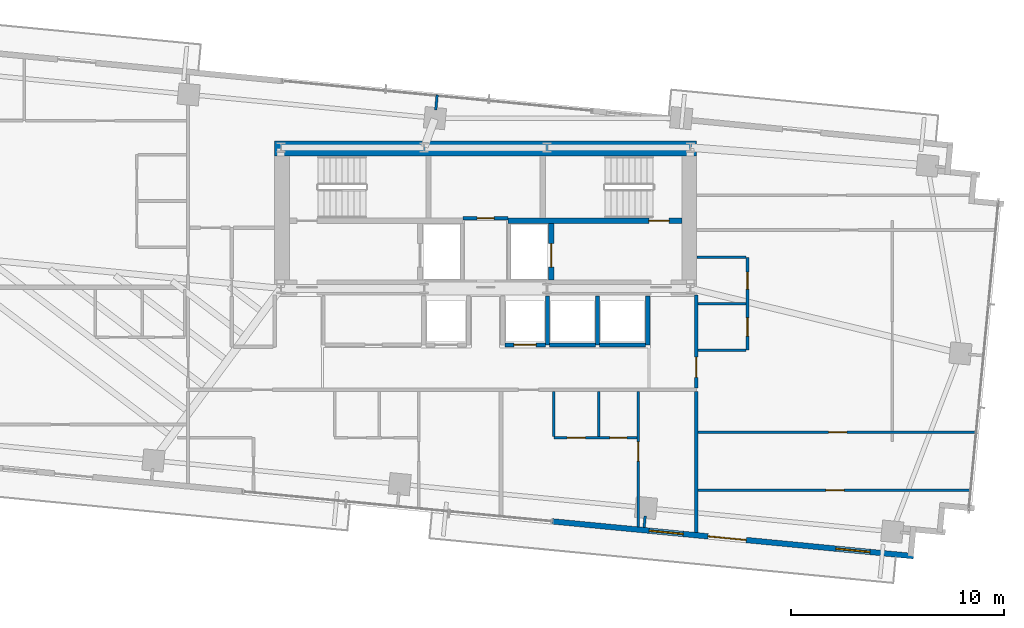
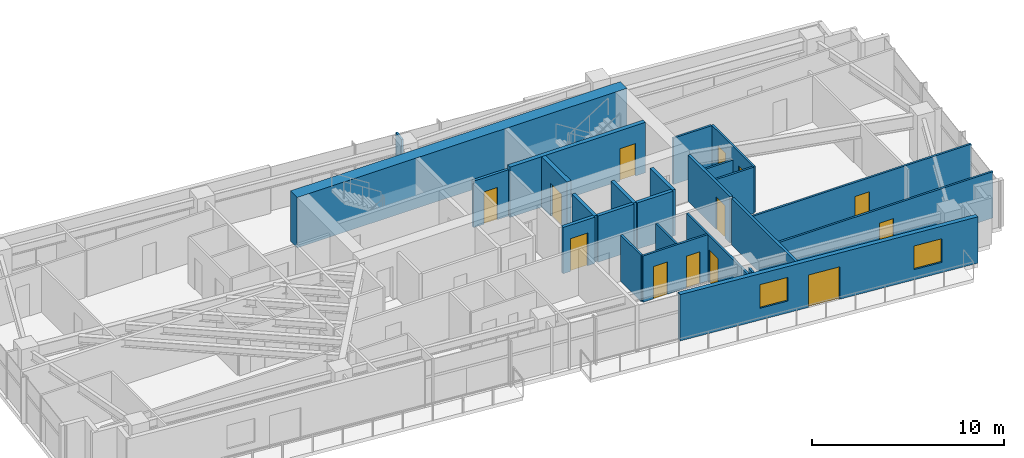
# One storey, part 17 of 20: 25 walls, 13 doors, 2 windows, 15 openings.
"""IFC4 building model written with IfcOpenShell, lengths in metres."""

from ifc_helpers import new_model, si_unit, direction, frame, frame_2d, origin, place, context, subcontext, project, spatial, rectangle, extrude, source, transform, mapped, material, layer, layer_set, type_object, type_shapes, element, fill, save


model = new_model("IFC4")

# Units and contexts
model_context = context("Model", 3, precision=1e-05, world=origin(), true_north=direction((0.0, 1.0)))
body_context = subcontext(model_context, "Body", "Model", "MODEL_VIEW")
ifc_project = project(units=[si_unit("LENGTHUNIT", "METRE"), si_unit("AREAUNIT", "SQUARE_METRE"), si_unit("VOLUMEUNIT", "CUBIC_METRE"), si_unit("PLANEANGLEUNIT", "RADIAN"), si_unit("MASSUNIT", "GRAM", prefix="KILO")], contexts=[model_context])

# Site, building, storey
site_placement = place(None, origin())
site = spatial("IfcSite", under=ifc_project, at=site_placement, CompositionType="ELEMENT")
building_placement = place(site_placement, origin())
building = spatial("IfcBuilding", under=site, at=building_placement, Name="Astriad Promenade Condominiums", CompositionType="ELEMENT")
storey_placement = place(building_placement, frame((0.0, 0.0, 134.199951171875)))
storey = spatial("IfcBuildingStorey", under=building, at=storey_placement, Name="L38", CompositionType="ELEMENT", Elevation=134.199951171875)

# Wall
ifc_material_1 = material(Name="Concrete C60/75", Category="concrete")
ifc_layer_1 = layer(ifc_material_1, 0.699951171875)
ifc_layer_set_1 = layer_set([ifc_layer_1], Name="Concrete C60/75")
wall_type_1 = type_object("IfcWallType", Name="CW-SHEAR-700", PredefinedType="SHEAR", material=ifc_layer_set_1)
wall_1_placement = place(storey_placement, frame((26.10009765625, 23.949951171875, 0.0), z_axis=(0.0, 0.0, 1.0), x_axis=(1.0, 0.0, 0.0)))
element("IfcWall", 1, at=wall_1_placement, inside=storey, type_object=wall_type_1, Name="CW-CORE-N-L38", PredefinedType="SHEAR", context=body_context, shape_type="SweptSolid", body=[
    extrude(rectangle(XDim=19.7998046875, YDim=0.699951171875, at=frame_2d((9.89990234375, 0.0))), origin(), (0.0, 0.0, 1.0), 3.199951171875),
])

# Wall, opening, door
ifc_material_2 = material(Name="Concrete C50/60", Category="concrete")
ifc_layer_2 = layer(ifc_material_2, 0.25)
ifc_layer_set_2 = layer_set([ifc_layer_2], Name="Concrete C50/60")
wall_type_2 = type_object("IfcWallType", Name="WALL-CORE-INT-250", PredefinedType="SOLIDWALL", material=ifc_layer_set_2)
wall_2_placement = place(storey_placement, frame((37.050048828125, 20.574951171875, 0.0), z_axis=(0.0, 0.0, 1.0), x_axis=(1.0, 0.0, 0.0)))
wall_2 = element("IfcWall", 2, at=wall_2_placement, inside=storey, type_object=wall_type_2, Name="CW-INT-H2-L38", PredefinedType="SOLIDWALL", context=body_context, shape_type="SweptSolid", body=[
    extrude(rectangle(XDim=8.14794921875, YDim=0.25, at=frame_2d((4.073974609375, 0.0))), origin(), (0.0, 0.0, 1.0), 3.199951171875),
])
opening_1_placement = place(wall_2_placement, frame((6.60009765625, 0.0, 0.0)))
opening_1 = element("IfcOpeningElement", 3, at=opening_1_placement, cuts=wall_2, Name="Opening FD90-ST-095", PredefinedType="OPENING", context=body_context, shape_type="SweptSolid", body=[
    extrude(rectangle(XDim=0.949951171875, YDim=2.06005859375, at=frame_2d((0.47509765625, 1.030029296875))), frame((0.0, 0.135009765625, 0.0), z_axis=(0.0, -1.0, 0.0), x_axis=(1.0, 0.0, 0.0)), (0.0, 0.0, 1.0), 0.27001953125),
])
ifc_material_3 = material(Name="Fire-Rated Hollow Metal Stair Door")
door_type_1 = type_object("IfcDoorType", Name="FD90-ST-095", OperationType="NOTDEFINED", PredefinedType="DOOR", material=ifc_material_3)
shared_shape_1 = source(origin(), body_context, "Body", "SweptSolid", [
    extrude(rectangle(XDim=0.949951171875, YDim=2.06005859375, at=frame_2d((0.47509765625, 1.030029296875))), frame((0.0, 0.02490234375, 0.0), z_axis=(0.0, -1.0, 0.0), x_axis=(1.0, 0.0, 0.0)), (0.0, 0.0, 1.0), 0.050048828125),
])
type_shapes(door_type_1, [shared_shape_1])
door_1_placement = place(opening_1_placement, origin())
door_1 = element("IfcDoor", 4, at=door_1_placement, inside=storey, type_object=door_type_1, Name="D-ST2-L38", OperationType="SINGLE_SWING_LEFT", OverallHeight=2.06005859375, OverallWidth=0.949951171875, PredefinedType="DOOR", context=body_context, shape_type="MappedRepresentation", body=[
    mapped(shared_shape_1, transform((0.0, 0.0, 0.0), scale=1.0)),
])
fill(opening_1, door_1)

wall_3_placement = place(storey_placement, frame((39.074951171875, 17.802001953125, 0.0), z_axis=(0.0, 0.0, 1.0), x_axis=(0.0, 1.0, 0.0)))
wall_3 = element("IfcWall", 5, at=wall_3_placement, inside=storey, type_object=wall_type_2, Name="CW-FFL2-E-L38", PredefinedType="SOLIDWALL", context=body_context, shape_type="SweptSolid", body=[
    extrude(rectangle(XDim=2.64599609375, YDim=0.25, at=frame_2d((1.322998046875, 0.0))), origin(), (0.0, 0.0, 1.0), 3.199951171875),
])
opening_2_placement = place(wall_3_placement, frame((0.597900390625, 0.0, 0.0)))
opening_2 = element("IfcOpeningElement", 6, at=opening_2_placement, cuts=wall_3, Name="Opening LD-FFL-1122", PredefinedType="OPENING", context=body_context, shape_type="SweptSolid", body=[
    extrude(rectangle(XDim=1.10009765625, YDim=2.080078125, at=frame_2d((0.550048828125, 1.0400390625))), frame((0.0, 0.135009765625, 0.0), z_axis=(0.0, -1.0, 0.0), x_axis=(1.0, 0.0, 0.0)), (0.0, 0.0, 1.0), 0.27001953125),
])
ifc_material_4 = material(Name="Brushed Stainless Steel Fire Elevator Landing Door", Category="steel")
door_type_2 = type_object("IfcDoorType", Name="LD-FFL-1122", OperationType="NOTDEFINED", PredefinedType="DOOR", material=ifc_material_4)
shared_shape_2 = source(origin(), body_context, "Body", "SweptSolid", [
    extrude(rectangle(XDim=1.10009765625, YDim=2.080078125, at=frame_2d((0.550048828125, 1.0400390625))), frame((0.0, 0.02490234375, 0.0), z_axis=(0.0, -1.0, 0.0), x_axis=(1.0, 0.0, 0.0)), (0.0, 0.0, 1.0), 0.050048828125),
])
type_shapes(door_type_2, [shared_shape_2])
door_2_placement = place(opening_2_placement, origin())
door_2 = element("IfcDoor", 7, at=door_2_placement, inside=storey, type_object=door_type_2, Name="Elevator Landing Door FFL-2 (L38)", OperationType="SLIDING_TO_RIGHT", OverallHeight=2.080078125, OverallWidth=1.10009765625, PredefinedType="DOOR", context=body_context, shape_type="MappedRepresentation", body=[
    mapped(shared_shape_2, transform((0.0, 0.0, 0.0), scale=1.0)),
])
fill(opening_2, door_2)

ifc_material_5 = material(Name="Fire-Rated Gypsum Partition")
ifc_layer_3 = layer(ifc_material_5, 0.159912109375)
ifc_layer_set_3 = layer_set([ifc_layer_3], Name="Fire-Rated Gypsum Partition")
wall_type_3 = type_object("IfcWallType", Name="WALL-CORR-160", PredefinedType="PARTITIONING", material=ifc_layer_set_3)
wall_4_placement = place(storey_placement, frame((34.949951171875, 20.68994140625, 0.0), z_axis=(0.0, 0.0, 1.0), x_axis=(1.0, 0.0, 0.0)))
wall_4 = element("IfcWall", 8, at=wall_4_placement, inside=storey, type_object=wall_type_3, Name="CW-AUX-S-L38", PredefinedType="PARTITIONING", context=body_context, shape_type="SweptSolid", body=[
    extrude(rectangle(XDim=2.10009765625, YDim=0.159912109375, at=frame_2d((1.050048828125, 0.0))), origin(), (0.0, 0.0, 1.0), 2.93994140625),
])
opening_3_placement = place(wall_4_placement, frame((0.64990234375, 0.0, 0.0)))
opening_3 = element("IfcOpeningElement", 9, at=opening_3_placement, cuts=wall_4, Name="Opening FD60-SV-080", PredefinedType="OPENING", context=body_context, shape_type="SweptSolid", body=[
    extrude(rectangle(XDim=0.800048828125, YDim=2.050048828125, at=frame_2d((0.39990234375, 1.02490234375))), frame((0.0, 0.08984375, 0.0), z_axis=(0.0, -1.0, 0.0), x_axis=(1.0, 0.0, 0.0)), (0.0, 0.0, 1.0), 0.179931640625),
])
ifc_material_6 = material(Name="Fire-Rated Riser Closet Door")
door_type_3 = type_object("IfcDoorType", Name="FD60-SV-080", OperationType="NOTDEFINED", PredefinedType="DOOR", material=ifc_material_6)
shared_shape_3 = source(origin(), body_context, "Body", "SweptSolid", [
    extrude(rectangle(XDim=0.800048828125, YDim=2.050048828125, at=frame_2d((0.39990234375, 1.02490234375))), frame((0.0, 0.02490234375, 0.0), z_axis=(0.0, -1.0, 0.0), x_axis=(1.0, 0.0, 0.0)), (0.0, 0.0, 1.0), 0.050048828125),
])
type_shapes(door_type_3, [shared_shape_3])
door_3_placement = place(opening_3_placement, origin())
door_3 = element("IfcDoor", 10, at=door_3_placement, inside=storey, type_object=door_type_3, Name="D-AUX1-L38", OperationType="SINGLE_SWING_RIGHT", OverallHeight=2.050048828125, OverallWidth=0.800048828125, PredefinedType="DOOR", context=body_context, shape_type="MappedRepresentation", body=[
    mapped(shared_shape_3, transform((0.0, 0.0, 0.0), scale=1.0)),
])
fill(opening_3, door_3)

# Wall
wall_5_placement = place(storey_placement, frame((45.8798828125, 5.95849609375, 0.0), z_axis=(0.0, 0.0, 1.0), x_axis=(0.0, 1.0, 0.0)))
element("IfcWall", 11, at=wall_5_placement, inside=storey, type_object=wall_type_3, Name="PT-COR-E-L38", PredefinedType="PARTITIONING", context=body_context, shape_type="SweptSolid", body=[
    extrude(rectangle(XDim=6.609619140625, YDim=0.159912109375, at=frame_2d((3.3046875, 0.0))), origin(), (0.0, 0.0, 1.0), 2.93994140625),
])

# Wall, opening, door
wall_6_placement = place(storey_placement, frame((45.8798828125, 12.73193359375, 0.0), z_axis=(0.0, 0.0, 1.0), x_axis=(0.0, 1.0, 0.0)))
wall_6 = element("IfcWall", 12, at=wall_6_placement, inside=storey, type_object=wall_type_3, Name="PT-COR-E-L38-S2", PredefinedType="PARTITIONING", context=body_context, shape_type="SweptSolid", body=[
    extrude(rectangle(XDim=4.365966796875, YDim=0.159912109375, at=frame_2d((2.18310546875, 0.0))), origin(), (0.0, 0.0, 1.0), 2.93994140625),
])
opening_4_placement = place(wall_6_placement, frame((0.492919921875, 0.0, 0.0)))
opening_4 = element("IfcOpeningElement", 13, at=opening_4_placement, cuts=wall_6, Name="Opening FD60-APT-095", PredefinedType="OPENING", context=body_context, shape_type="SweptSolid", body=[
    extrude(rectangle(XDim=0.949951171875, YDim=2.06005859375, at=frame_2d((0.47509765625, 1.030029296875))), frame((0.0, 0.08984375, 0.0), z_axis=(0.0, -1.0, 0.0), x_axis=(1.0, 0.0, 0.0)), (0.0, 0.0, 1.0), 0.179931640625),
])
ifc_material_7 = material(Name="Solid-Core Acoustic Timber Residence Entry Door", Category="wood")
door_type_4 = type_object("IfcDoorType", Name="FD60-APT-095", OperationType="NOTDEFINED", PredefinedType="DOOR", material=ifc_material_7)
shared_shape_4 = source(origin(), body_context, "Body", "SweptSolid", [
    extrude(rectangle(XDim=0.949951171875, YDim=2.06005859375, at=frame_2d((0.47509765625, 1.030029296875))), frame((0.0, 0.02490234375, 0.0), z_axis=(0.0, -1.0, 0.0), x_axis=(1.0, 0.0, 0.0)), (0.0, 0.0, 1.0), 0.050048828125),
])
type_shapes(door_type_4, [shared_shape_4])
door_4_placement = place(opening_4_placement, origin())
door_4 = element("IfcDoor", 14, at=door_4_placement, inside=storey, type_object=door_type_4, Name="D-ENT-L38-E1", OperationType="SINGLE_SWING_RIGHT", OverallHeight=2.06005859375, OverallWidth=0.949951171875, PredefinedType="DOOR", context=body_context, shape_type="MappedRepresentation", body=[
    mapped(shared_shape_4, transform((0.0, 0.0, 0.0), scale=1.0)),
])
fill(opening_4, door_4)

# Wall, openings, door, windows
ifc_material_8 = material(Name="Precast concrete C50/60", Category="concrete")
ifc_layer_4 = layer(ifc_material_8, 0.260009765625)
ifc_layer_set_4 = layer_set([ifc_layer_4], Name="Precast concrete C50/60")
wall_type_4 = type_object("IfcWallType", Name="WALL-EXT-TWR-260", PredefinedType="STANDARD", material=ifc_layer_set_4)
wall_7_placement = place(storey_placement, frame((56.061279296875, 4.845458984375, 0.0), z_axis=(0.0, 0.0, 1.0), x_axis=(-0.995395976631, 0.095848055311, 0.0)))
wall_7 = element("IfcWall", 15, at=wall_7_placement, inside=storey, type_object=wall_type_4, Name="W-EXT-L38-S1", PredefinedType="STANDARD", context=body_context, shape_type="SweptSolid", body=[
    extrude(rectangle(XDim=17.010009765625, YDim=0.260009765625, at=frame_2d((8.5048828125, 0.0))), origin(), (0.0, 0.0, 1.0), 2.93994140625),
])
opening_5_placement = place(wall_7_placement, frame((7.8759765625, 0.0, 0.0)))
opening_5 = element("IfcOpeningElement", 16, at=opening_5_placement, cuts=wall_7, Name="Opening BD-1822-SLD", PredefinedType="OPENING", context=body_context, shape_type="SweptSolid", body=[
    extrude(rectangle(XDim=1.800048828125, YDim=2.06005859375, at=frame_2d((0.89990234375, 1.030029296875))), frame((0.0, 0.139892578125, 0.0), z_axis=(0.0, -1.0, 0.0), x_axis=(1.0, 0.0, 0.0)), (0.0, 0.0, 1.0), 0.280029296875),
])
opening_6_placement = place(wall_7_placement, frame((2.050048828125, 0.0, 0.64990234375)))
opening_6 = element("IfcOpeningElement", 17, at=opening_6_placement, cuts=wall_7, Name="Opening WIN-TWR-1620", PredefinedType="OPENING", context=body_context, shape_type="SweptSolid", body=[
    extrude(rectangle(XDim=1.60009765625, YDim=1.5, at=frame_2d((0.800048828125, 0.75))), frame((0.0, 0.139892578125, 0.0), z_axis=(0.0, -1.0, 0.0), x_axis=(1.0, 0.0, 0.0)), (0.0, 0.0, 1.0), 0.280029296875),
])
opening_7_placement = place(wall_7_placement, frame((10.85205078125, 0.0, 0.75)))
opening_7 = element("IfcOpeningElement", 18, at=opening_7_placement, cuts=wall_7, Name="Opening WIN-TWR-1620", PredefinedType="OPENING", context=body_context, shape_type="SweptSolid", body=[
    extrude(rectangle(XDim=1.60009765625, YDim=1.5, at=frame_2d((0.800048828125, 0.75))), frame((0.0, 0.139892578125, 0.0), z_axis=(0.0, -1.0, 0.0), x_axis=(1.0, 0.0, 0.0)), (0.0, 0.0, 1.0), 0.280029296875),
])
ifc_material_9 = material(Name="Thermally Broken Aluminium Sliding Balcony Door", Category="aluminium")
door_type_5 = type_object("IfcDoorType", Name="BD-1822-SLD", OperationType="NOTDEFINED", PredefinedType="DOOR", material=ifc_material_9)
shared_shape_5 = source(origin(), body_context, "Body", "SweptSolid", [
    extrude(rectangle(XDim=1.800048828125, YDim=2.06005859375, at=frame_2d((0.89990234375, 1.030029296875))), frame((0.0, 0.02490234375, 0.0), z_axis=(0.0, -1.0, 0.0), x_axis=(1.0, 0.0, 0.0)), (0.0, 0.0, 1.0), 0.050048828125),
])
type_shapes(door_type_5, [shared_shape_5])
door_5_placement = place(opening_5_placement, origin())
door_5 = element("IfcDoor", 19, at=door_5_placement, inside=storey, type_object=door_type_5, Name="BD-L38-SE", OperationType="SLIDING_TO_RIGHT", OverallHeight=2.06005859375, OverallWidth=1.800048828125, PredefinedType="DOOR", context=body_context, shape_type="MappedRepresentation", body=[
    mapped(shared_shape_5, transform((0.0, 0.0, 0.0), scale=1.0)),
])
fill(opening_5, door_5)
ifc_material_10 = material(Name="Dark Tinted Triple-Glazed Aluminium Window", Category="aluminium")
window_type = type_object("IfcWindowType", Name="WIN-TWR-1620", PartitioningType="SINGLE_PANEL", PredefinedType="WINDOW", material=ifc_material_10)
shared_shape_6 = source(origin(), body_context, "Body", "SweptSolid", [
    extrude(rectangle(XDim=1.60009765625, YDim=1.5, at=frame_2d((0.800048828125, 0.75))), frame((0.0, 0.030029296875, 0.0), z_axis=(0.0, -1.0, 0.0), x_axis=(1.0, 0.0, 0.0)), (0.0, 0.0, 1.0), 0.06005859375),
])
type_shapes(window_type, [shared_shape_6])
window_1_placement = place(opening_6_placement, origin())
window_1 = element("IfcWindow", 20, at=window_1_placement, inside=storey, type_object=window_type, Name="WIN-L38-SE", OverallHeight=1.5, OverallWidth=1.60009765625, PartitioningType="SINGLE_PANEL", PredefinedType="WINDOW", context=body_context, shape_type="MappedRepresentation", body=[
    mapped(shared_shape_6, transform((0.0, 0.0, 0.0), scale=1.0)),
])
fill(opening_6, window_1)
window_2_placement = place(opening_7_placement, origin())
window_2 = element("IfcWindow", 21, at=window_2_placement, inside=storey, type_object=window_type, Name="WIN-DW-L38-S2-BD1", OverallHeight=1.5, OverallWidth=1.60009765625, PartitioningType="SINGLE_PANEL", PredefinedType="WINDOW", context=body_context, shape_type="MappedRepresentation", body=[
    mapped(shared_shape_6, transform((0.0, 0.0, 0.0), scale=1.0)),
])
fill(opening_7, window_2)

# Wall, opening, door
ifc_material_11 = material(Name="Acoustic Metal-Stud Gypsum Partition")
ifc_layer_5 = layer(ifc_material_11, 0.1201171875)
ifc_layer_set_5 = layer_set([ifc_layer_5], Name="Acoustic Metal-Stud Gypsum Partition")
wall_type_5 = type_object("IfcWallType", Name="WALL-PART-120", PredefinedType="PARTITIONING", material=ifc_layer_set_5)
wall_8_placement = place(storey_placement, frame((43.14990234375, 6.22119140625, 0.0), z_axis=(0.0, 0.0, 1.0), x_axis=(0.0, 1.0, 0.0)))
wall_8 = element("IfcWall", 22, at=wall_8_placement, inside=storey, type_object=wall_type_5, Name="PT-L38-S2-BD1", PredefinedType="PARTITIONING", context=body_context, shape_type="SweptSolid", body=[
    extrude(rectangle(XDim=6.346923828125, YDim=0.1201171875, at=frame_2d((3.17333984375, 0.0))), origin(), (0.0, 0.0, 1.0), 2.93994140625),
])
opening_8_placement = place(wall_8_placement, frame((3.07861328125, 0.0, 0.0)))
opening_8 = element("IfcOpeningElement", 23, at=opening_8_placement, cuts=wall_8, Name="Opening D-INT-090", PredefinedType="OPENING", context=body_context, shape_type="SweptSolid", body=[
    extrude(rectangle(XDim=0.89990234375, YDim=2.050048828125, at=frame_2d((0.449951171875, 1.02490234375))), frame((0.0, 0.070068359375, 0.0), z_axis=(0.0, -1.0, 0.0), x_axis=(1.0, 0.0, 0.0)), (0.0, 0.0, 1.0), 0.14013671875),
])
ifc_material_12 = material(Name="Painted Solid-Core Timber Bedroom Door", Category="wood")
door_type_6 = type_object("IfcDoorType", Name="D-INT-090", OperationType="NOTDEFINED", PredefinedType="DOOR", material=ifc_material_12)
shared_shape_7 = source(origin(), body_context, "Body", "SweptSolid", [
    extrude(rectangle(XDim=0.89990234375, YDim=2.050048828125, at=frame_2d((0.449951171875, 1.02490234375))), frame((0.0, 0.02490234375, 0.0), z_axis=(0.0, -1.0, 0.0), x_axis=(1.0, 0.0, 0.0)), (0.0, 0.0, 1.0), 0.050048828125),
])
type_shapes(door_type_6, [shared_shape_7])
door_6_placement = place(opening_8_placement, origin())
door_6 = element("IfcDoor", 24, at=door_6_placement, inside=storey, type_object=door_type_6, Name="D-BD1-L38-S2", OperationType="SINGLE_SWING_RIGHT", OverallHeight=2.050048828125, OverallWidth=0.89990234375, PredefinedType="DOOR", context=body_context, shape_type="MappedRepresentation", body=[
    mapped(shared_shape_7, transform((0.0, 0.0, 0.0), scale=1.0)),
])
fill(opening_8, door_6)

# Wall, openings, doors
wall_9_placement = place(storey_placement, frame((39.199951171875, 10.39990234375, 0.0), z_axis=(0.0, 0.0, 1.0), x_axis=(1.0, 0.0, 0.0)))
wall_9 = element("IfcWall", 25, at=wall_9_placement, inside=storey, type_object=wall_type_5, Name="PT-L38-S2-PS", PredefinedType="PARTITIONING", context=body_context, shape_type="SweptSolid", body=[
    extrude(rectangle(XDim=3.887939453125, YDim=0.1201171875, at=frame_2d((1.94384765625, 0.0))), origin(), (0.0, 0.0, 1.0), 2.93994140625),
])
opening_9_placement = place(wall_9_placement, frame((0.625, 0.0, 0.0)))
opening_9 = element("IfcOpeningElement", 26, at=opening_9_placement, cuts=wall_9, Name="Opening D-INT-085", PredefinedType="OPENING", context=body_context, shape_type="SweptSolid", body=[
    extrude(rectangle(XDim=0.85009765625, YDim=2.050048828125, at=frame_2d((0.425048828125, 1.02490234375))), frame((0.0, 0.070068359375, 0.0), z_axis=(0.0, -1.0, 0.0), x_axis=(1.0, 0.0, 0.0)), (0.0, 0.0, 1.0), 0.14013671875),
])
opening_10_placement = place(wall_9_placement, frame((2.625, 0.0, 0.0)))
opening_10 = element("IfcOpeningElement", 27, at=opening_10_placement, cuts=wall_9, Name="Opening D-WET-080", PredefinedType="OPENING", context=body_context, shape_type="SweptSolid", body=[
    extrude(rectangle(XDim=0.800048828125, YDim=2.02001953125, at=frame_2d((0.39990234375, 1.010009765625))), frame((0.0, 0.070068359375, 0.0), z_axis=(0.0, -1.0, 0.0), x_axis=(1.0, 0.0, 0.0)), (0.0, 0.0, 1.0), 0.14013671875),
])
ifc_material_13 = material(Name="Moisture-Resistant Timber Bathroom Door", Category="wood")
door_type_7 = type_object("IfcDoorType", Name="D-WET-080", OperationType="NOTDEFINED", PredefinedType="DOOR", material=ifc_material_13)
shared_shape_8 = source(origin(), body_context, "Body", "SweptSolid", [
    extrude(rectangle(XDim=0.800048828125, YDim=2.02001953125, at=frame_2d((0.39990234375, 1.010009765625))), frame((0.0, 0.02490234375, 0.0), z_axis=(0.0, -1.0, 0.0), x_axis=(1.0, 0.0, 0.0)), (0.0, 0.0, 1.0), 0.050048828125),
])
type_shapes(door_type_7, [shared_shape_8])
door_7_placement = place(opening_10_placement, origin())
door_7 = element("IfcDoor", 28, at=door_7_placement, inside=storey, type_object=door_type_7, Name="D-BTH-L38-S2", OperationType="SINGLE_SWING_RIGHT", OverallHeight=2.02001953125, OverallWidth=0.800048828125, PredefinedType="DOOR", context=body_context, shape_type="MappedRepresentation", body=[
    mapped(shared_shape_8, transform((0.0, 0.0, 0.0), scale=1.0)),
])
fill(opening_10, door_7)
ifc_material_14 = material(Name="Painted Solid-Core Timber Room Door", Category="wood")
door_type_8 = type_object("IfcDoorType", Name="D-INT-085", OperationType="NOTDEFINED", PredefinedType="DOOR", material=ifc_material_14)
shared_shape_9 = source(origin(), body_context, "Body", "SweptSolid", [
    extrude(rectangle(XDim=0.85009765625, YDim=2.050048828125, at=frame_2d((0.425048828125, 1.02490234375))), frame((0.0, 0.02490234375, 0.0), z_axis=(0.0, -1.0, 0.0), x_axis=(1.0, 0.0, 0.0)), (0.0, 0.0, 1.0), 0.050048828125),
])
type_shapes(door_type_8, [shared_shape_9])
door_8_placement = place(opening_9_placement, origin())
door_8 = element("IfcDoor", 29, at=door_8_placement, inside=storey, type_object=door_type_8, Name="D-KIT-L38-S2", OperationType="SINGLE_SWING_LEFT", OverallHeight=2.050048828125, OverallWidth=0.85009765625, PredefinedType="DOOR", context=body_context, shape_type="MappedRepresentation", body=[
    mapped(shared_shape_9, transform((0.0, 0.0, 0.0), scale=1.0)),
])
fill(opening_9, door_8)

# Walls
for number, where, z_axis, x_axis, name in (
    (30, (41.300048828125, 10.4619140625, 0.0), (0.0, 0.0, 1.0), (0.0, 1.0, 0.0), "PT-L38-S2-PBK"),
    (31, (39.199951171875, 10.4619140625, 0.0), (0.0, 0.0, 1.0), (0.0, 1.0, 0.0), "PT-L38-S2-PKW"),
):
    element("IfcWall", number, at=place(storey_placement, frame(where, z_axis=z_axis, x_axis=x_axis)), inside=storey, type_object=wall_type_5, Name=name, PredefinedType="PARTITIONING", context=body_context, shape_type="SweptSolid", body=[
        extrude(rectangle(XDim=2.106201171875, YDim=0.1201171875, at=frame_2d((1.05322265625, 0.0))), origin(), (0.0, 0.0, 1.0), 2.93994140625),
    ])

# Wall, openings, doors
wall_10_placement = place(storey_placement, frame((48.280029296875, 14.5, 0.0), z_axis=(0.0, 0.0, 1.0), x_axis=(0.0, 1.0, 0.0)))
wall_10 = element("IfcWall", 32, at=wall_10_placement, inside=storey, type_object=wall_type_5, Name="PT-L38-E1-PV", PredefinedType="PARTITIONING", context=body_context, shape_type="SweptSolid", body=[
    extrude(rectangle(XDim=4.35009765625, YDim=0.1201171875, at=frame_2d((2.175048828125, 0.0))), origin(), (0.0, 0.0, 1.0), 2.93994140625),
])
opening_11_placement = place(wall_10_placement, frame((0.6630859375, 0.0, 0.0)))
opening_11 = element("IfcOpeningElement", 33, at=opening_11_placement, cuts=wall_10, Name="Opening D-INT-085", PredefinedType="OPENING", context=body_context, shape_type="SweptSolid", body=[
    extrude(rectangle(XDim=0.85009765625, YDim=2.050048828125, at=frame_2d((0.425048828125, 1.02490234375))), frame((0.0, 0.070068359375, 0.0), z_axis=(0.0, -1.0, 0.0), x_axis=(1.0, 0.0, 0.0)), (0.0, 0.0, 1.0), 0.14013671875),
])
opening_12_placement = place(wall_10_placement, frame((2.863037109375, 0.0, 0.0)))
opening_12 = element("IfcOpeningElement", 34, at=opening_12_placement, cuts=wall_10, Name="Opening D-WET-080", PredefinedType="OPENING", context=body_context, shape_type="SweptSolid", body=[
    extrude(rectangle(XDim=0.800048828125, YDim=2.02001953125, at=frame_2d((0.39990234375, 1.010009765625))), frame((0.0, 0.070068359375, 0.0), z_axis=(0.0, -1.0, 0.0), x_axis=(1.0, 0.0, 0.0)), (0.0, 0.0, 1.0), 0.14013671875),
])
door_9_placement = place(opening_12_placement, origin())
door_9 = element("IfcDoor", 35, at=door_9_placement, inside=storey, type_object=door_type_7, Name="D-BTH-L38-E1", OperationType="SINGLE_SWING_RIGHT", OverallHeight=2.02001953125, OverallWidth=0.800048828125, PredefinedType="DOOR", context=body_context, shape_type="MappedRepresentation", body=[
    mapped(shared_shape_8, transform((0.0, 0.0, 0.0), scale=1.0)),
])
fill(opening_12, door_9)
door_10_placement = place(opening_11_placement, origin())
door_10 = element("IfcDoor", 36, at=door_10_placement, inside=storey, type_object=door_type_8, Name="D-KIT-L38-E1", OperationType="SINGLE_SWING_LEFT", OverallHeight=2.050048828125, OverallWidth=0.85009765625, PredefinedType="DOOR", context=body_context, shape_type="MappedRepresentation", body=[
    mapped(shared_shape_9, transform((0.0, 0.0, 0.0), scale=1.0)),
])
fill(opening_11, door_10)

# Walls
wall_11_placement = place(storey_placement, frame((45.9619140625, 16.675048828125, 0.0), z_axis=(0.0, 0.0, 1.0), x_axis=(1.0, 0.0, 0.0)))
element("IfcWall", 37, at=wall_11_placement, inside=storey, type_object=wall_type_5, Name="PT-L38-E1-PM", PredefinedType="PARTITIONING", context=body_context, shape_type="SweptSolid", body=[
    extrude(rectangle(XDim=2.256103515625, YDim=0.1201171875, at=frame_2d((1.1279296875, 0.0))), origin(), (0.0, 0.0, 1.0), 2.06298828125),
])
wall_12_placement = place(storey_placement, frame((45.9619140625, 14.5, 0.0), z_axis=(0.0, 0.0, 1.0), x_axis=(1.0, 0.0, 0.0)))
element("IfcWall", 38, at=wall_12_placement, inside=storey, type_object=wall_type_5, Name="PT-L38-E1-PS", PredefinedType="PARTITIONING", context=body_context, shape_type="SweptSolid", body=[
    extrude(rectangle(XDim=2.256103515625, YDim=0.1201171875, at=frame_2d((1.1279296875, 0.0))), origin(), (0.0, 0.0, 1.0), 2.93994140625),
])
wall_13_placement = place(storey_placement, frame((45.902099609375, 18.85009765625, 0.0), z_axis=(0.0, 0.0, 1.0), x_axis=(1.0, 0.0, 0.0)))
element("IfcWall", 39, at=wall_13_placement, inside=storey, type_object=wall_type_5, Name="PT-L38-E1-PN", PredefinedType="PARTITIONING", context=body_context, shape_type="SweptSolid", body=[
    extrude(rectangle(XDim=2.31591796875, YDim=0.1201171875, at=frame_2d((1.157958984375, 0.0))), origin(), (0.0, 0.0, 1.0), 2.93994140625),
])

# Wall, opening, door
wall_14_placement = place(storey_placement, frame((45.9619140625, 7.931884765625, 0.0), z_axis=(0.0, 0.0, 1.0), x_axis=(1.0, 0.0, 0.0)))
wall_14 = element("IfcWall", 40, at=wall_14_placement, inside=storey, type_object=wall_type_5, Name="PT-L38-E1-B2", PredefinedType="PARTITIONING", context=body_context, shape_type="SweptSolid", body=[
    extrude(rectangle(XDim=12.827880859375, YDim=0.1201171875, at=frame_2d((6.4140625, 0.0))), origin(), (0.0, 0.0, 1.0), 2.93994140625),
])
opening_13_placement = place(wall_14_placement, frame((5.9951171875, 0.0, 0.0)))
opening_13 = element("IfcOpeningElement", 41, at=opening_13_placement, cuts=wall_14, Name="Opening D-INT-085", PredefinedType="OPENING", context=body_context, shape_type="SweptSolid", body=[
    extrude(rectangle(XDim=0.85009765625, YDim=2.050048828125, at=frame_2d((0.425048828125, 1.02490234375))), frame((0.0, 0.070068359375, 0.0), z_axis=(0.0, -1.0, 0.0), x_axis=(1.0, 0.0, 0.0)), (0.0, 0.0, 1.0), 0.14013671875),
])
door_11_placement = place(opening_13_placement, origin())
door_11 = element("IfcDoor", 42, at=door_11_placement, inside=storey, type_object=door_type_8, Name="D-BD2-L38-E1", OperationType="SINGLE_SWING_RIGHT", OverallHeight=2.050048828125, OverallWidth=0.85009765625, PredefinedType="DOOR", context=body_context, shape_type="MappedRepresentation", body=[
    mapped(shared_shape_9, transform((0.0, 0.0, 0.0), scale=1.0)),
])
fill(opening_13, door_11)

wall_15_placement = place(storey_placement, frame((45.9619140625, 10.6640625, 0.0), z_axis=(0.0, 0.0, 1.0), x_axis=(1.0, 0.0, 0.0)))
wall_15 = element("IfcWall", 43, at=wall_15_placement, inside=storey, type_object=wall_type_5, Name="PT-L38-E1-WDS1", PredefinedType="PARTITIONING", context=body_context, shape_type="SweptSolid", body=[
    extrude(rectangle(XDim=13.0908203125, YDim=0.1201171875, at=frame_2d((6.54541015625, 0.0))), origin(), (0.0, 0.0, 1.0), 2.93994140625),
])
opening_14_placement = place(wall_15_placement, frame((6.126953125, 0.0, 0.0)))
opening_14 = element("IfcOpeningElement", 44, at=opening_14_placement, cuts=wall_15, Name="Opening D-INT-085", PredefinedType="OPENING", context=body_context, shape_type="SweptSolid", body=[
    extrude(rectangle(XDim=0.85009765625, YDim=2.050048828125, at=frame_2d((0.425048828125, 1.02490234375))), frame((0.0, 0.070068359375, 0.0), z_axis=(0.0, -1.0, 0.0), x_axis=(1.0, 0.0, 0.0)), (0.0, 0.0, 1.0), 0.14013671875),
])
door_12_placement = place(opening_14_placement, origin())
door_12 = element("IfcDoor", 45, at=door_12_placement, inside=storey, type_object=door_type_8, Name="D-WDS1-L38-E1", OperationType="SINGLE_SWING_LEFT", OverallHeight=2.050048828125, OverallWidth=0.85009765625, PredefinedType="DOOR", context=body_context, shape_type="MappedRepresentation", body=[
    mapped(shared_shape_9, transform((0.0, 0.0, 0.0), scale=1.0)),
])
fill(opening_14, door_12)

# Walls
wall_16_placement = place(storey_placement, frame((43.48388671875, 6.7294921875, 0.0), z_axis=(0.0, 0.0, 1.0), x_axis=(-0.095772948675, -0.995403205893, 0.0)))
element("IfcWall", 46, at=wall_16_placement, inside=storey, type_object=wall_type_5, Name="PT-PIL-L38-PC04-11", PredefinedType="PARTITIONING", context=body_context, shape_type="SweptSolid", body=[
    extrude(rectangle(XDim=0.537841796875, YDim=0.1201171875, at=frame_2d((0.26904296875, 0.0))), origin(), (0.0, 0.0, 1.0), 2.93994140625),
])
wall_17_placement = place(storey_placement, frame((33.66259765625, 25.758544921875, 0.0), z_axis=(0.0, 0.0, 1.0), x_axis=(0.095977354523, 0.995383517755, 0.0)))
element("IfcWall", 47, at=wall_17_placement, inside=storey, type_object=wall_type_5, Name="PT-PIL-L38-PC08-15", PredefinedType="PARTITIONING", context=body_context, shape_type="SweptSolid", body=[
    extrude(rectangle(XDim=0.719970703125, YDim=0.1201171875, at=frame_2d((0.35986328125, 0.0))), origin(), (0.0, 0.0, 1.0), 2.93994140625),
])
ifc_material_15 = material(Name="Gypsum Shaftliner Assembly")
ifc_layer_6 = layer(ifc_material_15, 0.199951171875)
ifc_layer_set_6 = layer_set([ifc_layer_6], Name="Gypsum Shaftliner Assembly")
wall_type_6 = type_object("IfcWallType", Name="WALL-SHAFT-200", PredefinedType="PARTITIONING", material=ifc_layer_set_6)
wall_18_placement = place(storey_placement, frame((38.89990234375, 14.75, 0.0), z_axis=(0.0, 0.0, 1.0), x_axis=(0.0, 1.0, 0.0)))
element("IfcWall", 48, at=wall_18_placement, inside=storey, type_object=wall_type_6, Name="PL-MH-DIV-L38", PredefinedType="PARTITIONING", context=body_context, shape_type="SweptSolid", body=[
    extrude(rectangle(XDim=2.300048828125, YDim=0.199951171875, at=frame_2d((1.14990234375, 0.0))), origin(), (0.0, 0.0, 1.0), 2.93994140625),
])

# Wall, opening, door
wall_19_placement = place(storey_placement, frame((36.902099609375, 14.75, 0.0), z_axis=(0.0, 0.0, 1.0), x_axis=(1.0, 0.0, 0.0)))
wall_19 = element("IfcWall", 49, at=wall_19_placement, inside=storey, type_object=wall_type_6, Name="PL-M2-F-L38", PredefinedType="PARTITIONING", context=body_context, shape_type="SweptSolid", body=[
    extrude(rectangle(XDim=1.89599609375, YDim=0.199951171875, at=frame_2d((0.947998046875, 0.0))), origin(), (0.0, 0.0, 1.0), 2.93994140625),
])
opening_15_placement = place(wall_19_placement, frame((0.423095703125, 0.0, 0.0)))
opening_15 = element("IfcOpeningElement", 50, at=opening_15_placement, cuts=wall_19, Name="Opening LD-PL-10522", PredefinedType="OPENING", context=body_context, shape_type="SweptSolid", body=[
    extrude(rectangle(XDim=1.050048828125, YDim=2.080078125, at=frame_2d((0.52490234375, 1.0400390625))), frame((0.0, 0.10986328125, 0.0), z_axis=(0.0, -1.0, 0.0), x_axis=(1.0, 0.0, 0.0)), (0.0, 0.0, 1.0), 0.219970703125),
])
ifc_material_16 = material(Name="Brushed Bronze Passenger Elevator Landing Door")
door_type_9 = type_object("IfcDoorType", Name="LD-PL-10522", OperationType="NOTDEFINED", PredefinedType="DOOR", material=ifc_material_16)
shared_shape_10 = source(origin(), body_context, "Body", "SweptSolid", [
    extrude(rectangle(XDim=1.050048828125, YDim=2.080078125, at=frame_2d((0.52490234375, 1.0400390625))), frame((0.0, 0.02490234375, 0.0), z_axis=(0.0, -1.0, 0.0), x_axis=(1.0, 0.0, 0.0)), (0.0, 0.0, 1.0), 0.050048828125),
])
type_shapes(door_type_9, [shared_shape_10])
door_13_placement = place(opening_15_placement, origin())
door_13 = element("IfcDoor", 51, at=door_13_placement, inside=storey, type_object=door_type_9, Name="Elevator Landing Door PL-M2 (L38)", OperationType="SLIDING_TO_RIGHT", OverallHeight=2.080078125, OverallWidth=1.050048828125, PredefinedType="DOOR", context=body_context, shape_type="MappedRepresentation", body=[
    mapped(shared_shape_10, transform((0.0, 0.0, 0.0), scale=1.0)),
])
fill(opening_15, door_13)

# Walls
for number, where, z_axis, x_axis, name in (
    (52, (41.25, 14.75, 0.0), (0.0, 0.0, 1.0), (0.0, 1.0, 0.0), "PL-H-DIV-L38"),
    (53, (43.60009765625, 14.75, 0.0), (0.0, 0.0, 1.0), (0.0, 1.0, 0.0), "PL-E-OUT-L38"),
):
    element("IfcWall", number, at=place(storey_placement, frame(where, z_axis=z_axis, x_axis=x_axis)), inside=storey, type_object=wall_type_6, Name=name, PredefinedType="PARTITIONING", context=body_context, shape_type="SweptSolid", body=[
        extrude(rectangle(XDim=2.300048828125, YDim=0.199951171875, at=frame_2d((1.14990234375, 0.0))), origin(), (0.0, 0.0, 1.0), 2.93994140625),
    ])
for number, where, z_axis, x_axis, name in (
    (54, (39.001953125, 14.75, 0.0), (0.0, 0.0, 1.0), (1.0, 0.0, 0.0), "PL-H-FRT-L38"),
    (55, (41.35205078125, 14.75, 0.0), (0.0, 0.0, 1.0), (1.0, 0.0, 0.0), "PL-H-FRT-L38-S2"),
):
    element("IfcWall", number, at=place(storey_placement, frame(where, z_axis=z_axis, x_axis=x_axis)), inside=storey, type_object=wall_type_6, Name=name, PredefinedType="PARTITIONING", context=body_context, shape_type="SweptSolid", body=[
        extrude(rectangle(XDim=2.14599609375, YDim=0.199951171875, at=frame_2d((1.072998046875, 0.0))), origin(), (0.0, 0.0, 1.0), 2.93994140625),
    ])

save(model, "model.ifc")
